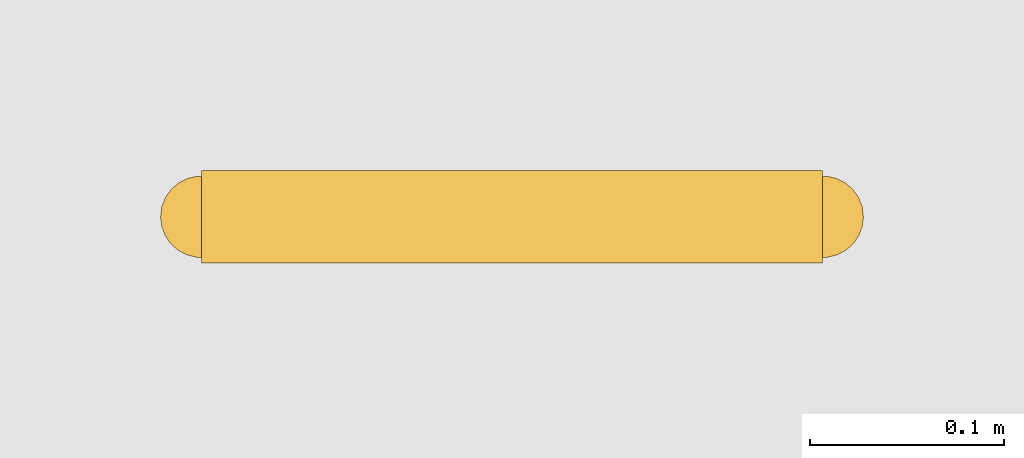
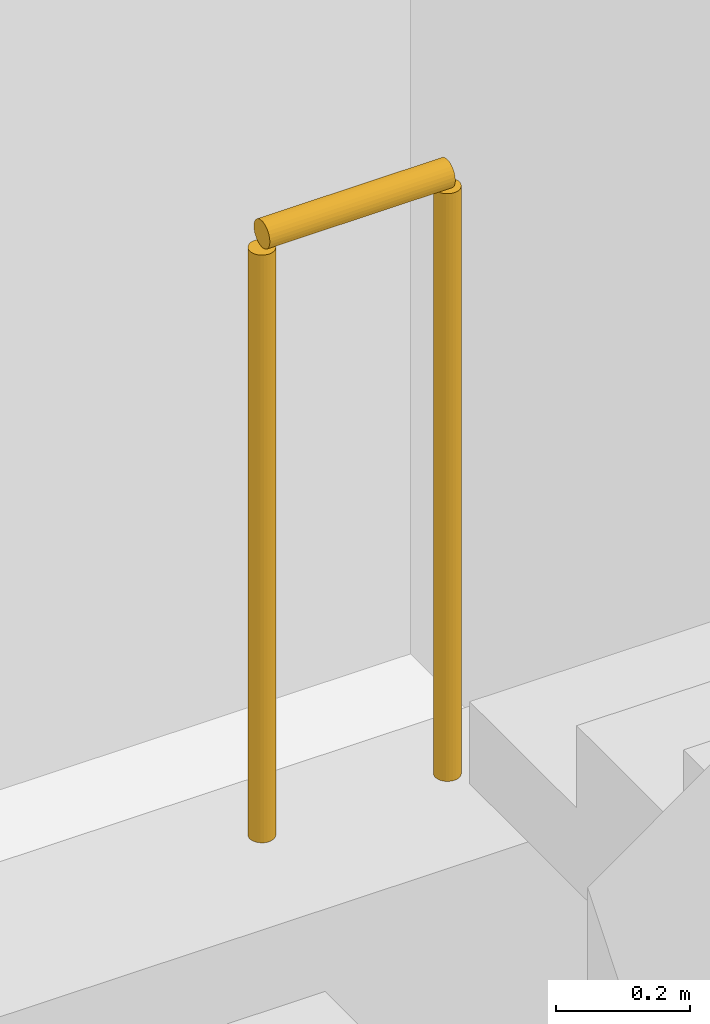
# One storey, part 27 of 30: 1 railing.
"""IFC4 building model written with IfcOpenShell, lengths in metres."""

from ifc_helpers import new_model, si_unit, direction, frame, origin, origin_2d, place, context, subcontext, project, spatial, circle, extrude, material, type_object, element, save


model = new_model("IFC4")

# Units and contexts
model_context = context("Model", 3, precision=1e-05, world=origin(), true_north=direction((0.0, 1.0)))
body_context = subcontext(model_context, "Body", "Model", "MODEL_VIEW")
ifc_project = project(units=[si_unit("LENGTHUNIT", "METRE"), si_unit("AREAUNIT", "SQUARE_METRE"), si_unit("VOLUMEUNIT", "CUBIC_METRE"), si_unit("PLANEANGLEUNIT", "RADIAN"), si_unit("MASSUNIT", "GRAM", prefix="KILO"), si_unit("THERMODYNAMICTEMPERATUREUNIT", "KELVIN"), si_unit("POWERUNIT", "WATT")], contexts=[model_context])

# Site, building, storey
site_placement = place(None, origin())
site = spatial("IfcSite", under=ifc_project, at=site_placement, CompositionType="ELEMENT")
building_placement = place(site_placement, origin())
building = spatial("IfcBuilding", under=site, at=building_placement, Name="Srebrne Nadtorze General Hospital", CompositionType="ELEMENT")
storey_placement = place(building_placement, frame((0.0, 0.0, -4.5)))
storey = spatial("IfcBuildingStorey", under=building, at=storey_placement, Name="B1", CompositionType="ELEMENT", Elevation=-4.5)

# Railing
ifc_material = material(Name="Stainless Steel 316", Category="steel")
railing_type = type_object("IfcRailingType", Name="Stairwell safety guard 1120", PredefinedType="BALUSTRADE", material=ifc_material)
railing_placement = place(storey_placement, frame((104.1650390625, 60.919921875, 2.25)))
element("IfcRailing", 1, at=railing_placement, inside=storey, type_object=railing_type, Name="Half landing well guard ST-03-B1", PredefinedType="BALUSTRADE", context=body_context, shape_type="SweptSolid", body=[
    extrude(circle(Radius=0.02392578125, at=origin_2d()), frame((0.0, 0.0, 1.09619140625), z_axis=(1.0, 0.0, 0.0), x_axis=(0.0, 1.0, 0.0)), (0.0, 0.0, 1.0), 0.320068359375),
    extrude(circle(Radius=0.02099609375, at=origin_2d()), origin(), (0.0, 0.0, 1.0), 1.072021484375),
    extrude(circle(Radius=0.02099609375, at=origin_2d()), frame((0.320068359375, 0.0, 0.0)), (0.0, 0.0, 1.0), 1.072021484375),
])

save(model, "model.ifc")
